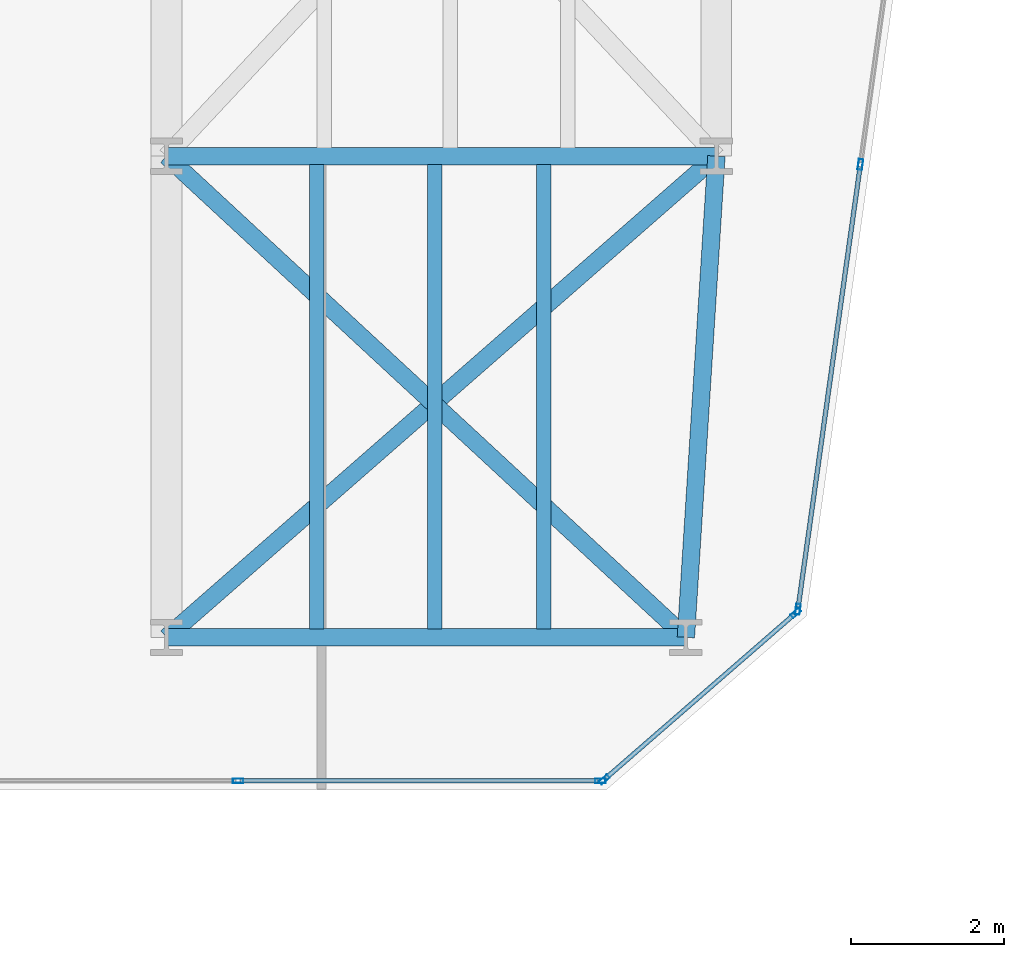
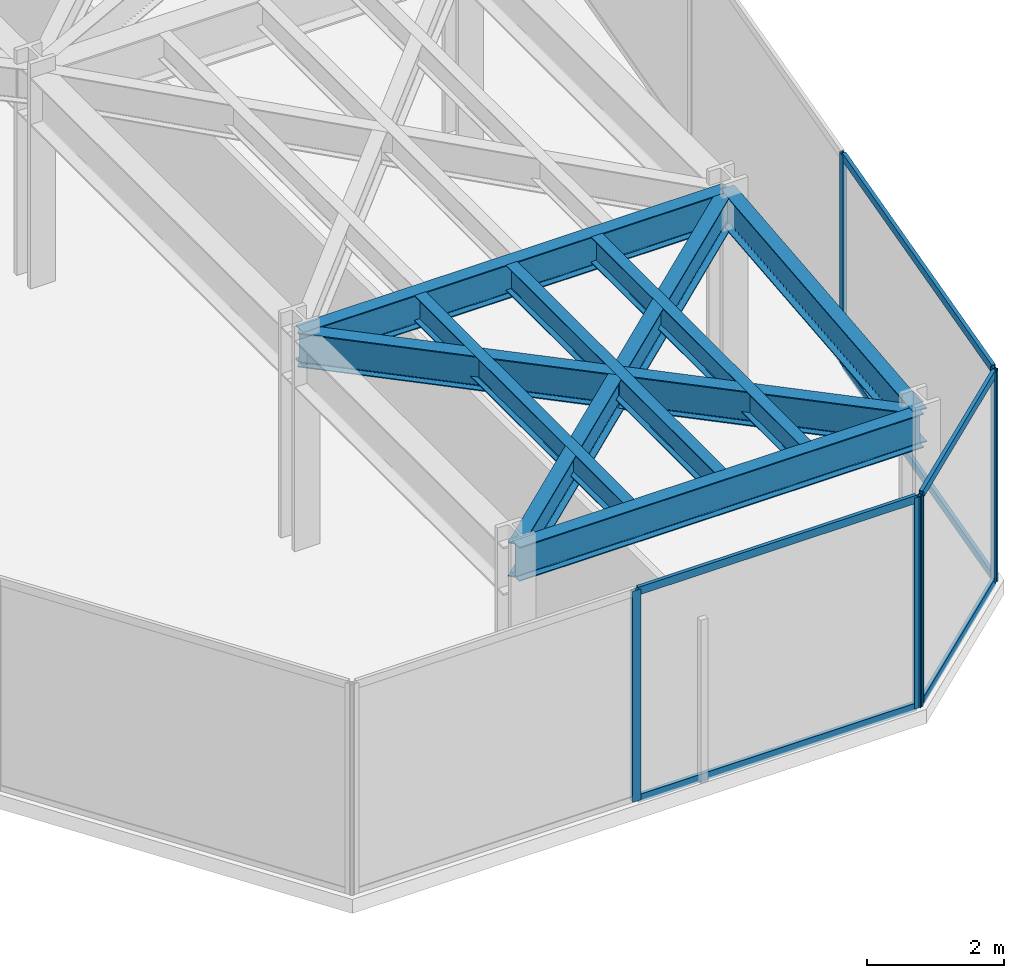
# One storey, part 11 of 24: 12 members, 8 beams, 3 elements without a shape of their own.
"""IFC4 building model written with IfcOpenShell, lengths in metres."""

import ifcopenshell
import ifcopenshell.guid

model = None  # the IFC model being written
_history = None  # IfcOwnerHistory: only IFC2X3 demands one
_inside = {}  # id of a spatial element -> (the spatial element, [elements in it])
_under = {}  # id of a project, library or spatial element -> (it, [spatial elements below it])
_declared = {}  # id of a project -> (the project, [libraries it declares])
_typed = {}  # id of a type object -> (the type object, [elements of that type])
_made_of = {}  # id of a material, layer set ... -> (it, [elements and type objects made of it])


def new_model(schema):
    """Start an empty IFC model of exactly this schema.

    Asked for "IFC4X3", IfcOpenShell would pick the latest addendum, in which some entities
    have other attributes; the version numbers below select the first issue.
    IFC2X3 requires an IfcOwnerHistory on every rooted entity: one is made here for all.
    """
    global model, _history
    if schema == "IFC4X3":
        model = ifcopenshell.file(schema_version=(4, 3, 0, 0))
    else:
        model = ifcopenshell.file(schema=schema)
    _inside.clear()
    _under.clear()
    _declared.clear()
    _typed.clear()
    _made_of.clear()
    _history = None
    if model.schema == "IFC2X3":
        org = make("IfcOrganization", Name="unknown")
        user = make(
            "IfcPersonAndOrganization",
            ThePerson=make("IfcPerson", FamilyName="unknown"),
            TheOrganization=org,
        )
        app = make(
            "IfcApplication",
            ApplicationDeveloper=org,
            Version="unknown",
            ApplicationFullName="unknown",
            ApplicationIdentifier="unknown",
        )
        _history = make(
            "IfcOwnerHistory",
            OwningUser=user,
            OwningApplication=app,
            ChangeAction="ADDED",
            CreationDate=0,
        )
    return model


def make(cls, **values):
    """One entity of the class cls with the attributes given. An attribute that is None is left unset."""
    return model.create_entity(
        cls, **{name: value for name, value in values.items() if value is not None}
    )


def rooted(cls, **values):
    """An entity with a GlobalId (a new one), such as an element, a storey or a relation."""
    return make(cls, GlobalId=ifcopenshell.guid.new(), OwnerHistory=_history, **values)


def si_unit(unit_type, name, prefix=None):
    """IfcSIUnit, for example si_unit("LENGTHUNIT", "METRE", prefix="MILLI")."""
    return make("IfcSIUnit", UnitType=unit_type, Prefix=prefix, Name=name)


def assignment(units):
    """IfcUnitAssignment: the units of a project."""
    return None if units is None else make("IfcUnitAssignment", Units=units)


def point(xyz):
    """IfcCartesianPoint."""
    return None if xyz is None else make("IfcCartesianPoint", Coordinates=xyz)


def direction(xyz):
    """IfcDirection."""
    return None if xyz is None else make("IfcDirection", DirectionRatios=xyz)


def frame(location, z_axis=None, x_axis=None):
    """IfcAxis2Placement3D, a coordinate frame: its origin and axes. An axis left out is left unset."""
    return make(
        "IfcAxis2Placement3D",
        Location=point(location),
        Axis=direction(z_axis),
        RefDirection=direction(x_axis),
    )


def frame_2d(location, x_axis=None):
    """IfcAxis2Placement2D, a coordinate frame in the plane: its origin and x axis."""
    return make(
        "IfcAxis2Placement2D", Location=point(location), RefDirection=direction(x_axis)
    )


def origin():
    """The frame at (0, 0, 0) with its axes left unset."""
    return frame((0.0, 0.0, 0.0))


def origin_2d():
    """The frame at (0, 0) in the plane with its x axis left unset."""
    return frame_2d((0.0, 0.0))


def place(relative_to, where):
    """IfcLocalPlacement: puts the frame where relative to a parent placement (None: the world)."""
    return make(
        "IfcLocalPlacement", PlacementRelTo=relative_to, RelativePlacement=where
    )


def context(
    kind, dimensions, precision=None, world=None, true_north=None, identifier=None
):
    """IfcGeometricRepresentationContext, for example the 3D "Model" context."""
    return make(
        "IfcGeometricRepresentationContext",
        ContextIdentifier=identifier,
        ContextType=kind,
        CoordinateSpaceDimension=dimensions,
        Precision=precision,
        WorldCoordinateSystem=world,
        TrueNorth=true_north,
    )


def subcontext(parent, identifier, kind, view, scale=None):
    """IfcGeometricRepresentationSubContext, for example "Body" below "Model"."""
    return make(
        "IfcGeometricRepresentationSubContext",
        ContextIdentifier=identifier,
        ContextType=kind,
        ParentContext=parent,
        TargetScale=scale,
        TargetView=view,
    )


def project(units=None, contexts=None):
    """IfcProject with its units and contexts."""
    return rooted(
        "IfcProject",
        Name="project",
        RepresentationContexts=contexts,
        UnitsInContext=assignment(units),
    )


def spatial(cls, under=None, at=None, **own):
    """A site, building, storey or space (cls), placed at a placement, below another one or the project."""
    s = rooted(cls, ObjectPlacement=at, **own)
    if under is not None:
        _under.setdefault(under.id(), (under, []))[1].append(s)
    return s


def profile(cls, at=None, kind="AREA", **sizes):
    """A parametric profile (cls). Its sizes go by their IFC names, for example OverallWidth=200.0."""
    return make(cls, ProfileType=kind, Position=at, **sizes)


def hollow_rectangle(**sizes):
    """IfcRectangleHollowProfileDef."""
    return profile("IfcRectangleHollowProfileDef", **sizes)


def i_section(**sizes):
    """IfcIShapeProfileDef."""
    return profile("IfcIShapeProfileDef", **sizes)


def extrude(swept, where, along, depth):
    """IfcExtrudedAreaSolid: the profile swept, set in the frame where, extruded along a direction by depth."""
    return make(
        "IfcExtrudedAreaSolid",
        SweptArea=swept,
        Position=where,
        ExtrudedDirection=direction(along),
        Depth=depth,
    )


def shape(context_of_items, identifier, shape_type, items):
    """IfcShapeRepresentation: the items that make up one representation, for example the "Body"."""
    return make(
        "IfcShapeRepresentation",
        ContextOfItems=context_of_items,
        RepresentationIdentifier=identifier,
        RepresentationType=shape_type,
        Items=items,
    )


def material(Name=None, Category=None):
    """IfcMaterial."""
    return make("IfcMaterial", Name=Name, Category=Category)


def layer(
    of_material, thickness, ventilated=None, Name=None, Category=None, Priority=None
):
    """IfcMaterialLayer: one layer of a wall or slab, of a material (None: an air gap)."""
    return make(
        "IfcMaterialLayer",
        Material=of_material,
        LayerThickness=thickness,
        IsVentilated=ventilated,
        Name=Name,
        Category=Category,
        Priority=Priority,
    )


def layer_set(layers, Name=None):
    """IfcMaterialLayerSet."""
    return make("IfcMaterialLayerSet", MaterialLayers=layers, LayerSetName=Name)


def material_profile(
    of_material, cross_section, Name=None, Category=None, Priority=None
):
    """IfcMaterialProfile: a cross section and its material."""
    return make(
        "IfcMaterialProfile",
        Name=Name,
        Material=of_material,
        Profile=cross_section,
        Priority=Priority,
        Category=Category,
    )


def profile_set(profiles, Name=None, composite=None):
    """IfcMaterialProfileSet."""
    return make(
        "IfcMaterialProfileSet",
        Name=Name,
        MaterialProfiles=profiles,
        CompositeProfile=composite,
    )


def made_of(thing, what):
    """Note that an element or type object is made of a material, layer set ...; save() writes the relation."""
    if what is not None:
        _made_of.setdefault(what.id(), (what, []))[1].append(thing)
    return thing


def type_object(cls, material=None, **own):
    """A type object (cls), such as IfcWallType, which elements share."""
    return made_of(rooted(cls, **own), material)


def element(
    cls,
    number,
    at=None,
    inside=None,
    cuts=None,
    type_object=None,
    material=None,
    context=None,
    identifier="Body",
    shape_type=None,
    held_by="IfcProductDefinitionShape",
    body=None,
    shapes=None,
    **own,
):
    """One element of the class cls, such as IfcWall. Its Tag is "e" and its number.

    at: its placement. inside: the storey or other place that contains it. cuts: it is an
    opening in that element (IfcRelVoidsElement). A single representation is given by context,
    identifier, shape_type and body (its items); several are given by shapes. held_by: the class
    of the entity that holds the representations. save() writes the other relations.
    """
    e = rooted(cls, Tag="e%d" % number, ObjectPlacement=at, **own)
    if body is not None:
        shapes = [shape(context, identifier, shape_type, body)]
    if shapes is not None:
        e.Representation = make(held_by, Representations=shapes)
    if inside is not None:
        _inside.setdefault(inside.id(), (inside, []))[1].append(e)
    if cuts is not None:
        rooted(
            "IfcRelVoidsElement", RelatingBuildingElement=cuts, RelatedOpeningElement=e
        )
    if type_object is not None:
        _typed.setdefault(type_object.id(), (type_object, []))[1].append(e)
    return made_of(e, material)


def aggregate(whole, parts):
    """IfcRelAggregates: a whole, such as a stair, and the parts it consists of."""
    return rooted("IfcRelAggregates", RelatingObject=whole, RelatedObjects=parts)


def save(model, path):
    """Write the relations noted so far, then the file.

    IfcRelAggregates (storeys below a building ...), IfcRelContainedInSpatialStructure (elements
    in a storey), IfcRelDefinesByType, IfcRelAssociatesMaterial and IfcRelDeclares: one each for
    every whole, place, type object, material and project.
    """
    for whole, parts in _under.values():
        aggregate(whole, parts)
    for where, things in _inside.values():
        rooted(
            "IfcRelContainedInSpatialStructure",
            RelatedElements=things,
            RelatingStructure=where,
        )
    for kind, things in _typed.values():
        rooted("IfcRelDefinesByType", RelatedObjects=things, RelatingType=kind)
    for what, things in _made_of.values():
        rooted("IfcRelAssociatesMaterial", RelatedObjects=things, RelatingMaterial=what)
    for by, libraries in _declared.values():
        rooted("IfcRelDeclares", RelatingContext=by, RelatedDefinitions=libraries)
    model.write(path)


model = new_model("IFC4")

# Units and contexts
model_context = context("Model", 3, precision=1e-05, world=origin(), true_north=direction((0.0, 1.0)))
body_context = subcontext(model_context, "Body", "Model", "MODEL_VIEW")
ifc_project = project(units=[si_unit("LENGTHUNIT", "METRE"), si_unit("AREAUNIT", "SQUARE_METRE"), si_unit("VOLUMEUNIT", "CUBIC_METRE"), si_unit("PLANEANGLEUNIT", "RADIAN"), si_unit("MASSUNIT", "GRAM", prefix="KILO")], contexts=[model_context])

# Site, building, storey
site_placement = place(None, origin())
site = spatial("IfcSite", under=ifc_project, at=site_placement, CompositionType="ELEMENT")
building_placement = place(site_placement, origin())
building = spatial("IfcBuilding", under=site, at=building_placement, Name="Kravanh Interchange Tower", CompositionType="ELEMENT")
storey_placement = place(building_placement, frame((0.0, 0.0, 96.0)))
storey = spatial("IfcBuildingStorey", under=building, at=storey_placement, Name="L22", CompositionType="ELEMENT", Elevation=96.0)

# Curtain wall, members
ifc_material_1 = material(Name="Anodised Bronze Aluminium", Category="aluminium")
ifc_layer = layer(ifc_material_1, 0.179931640625)
ifc_layer_set = layer_set([ifc_layer], Name="Unitised Curtain Wall System CW-Z2 Mid Office")
curtain_wall_type = type_object("IfcCurtainWallType", Name="Unitised Curtain Wall System CW-Z2 Mid Office", PredefinedType="NOTDEFINED", material=ifc_layer_set)
curtain_wall_1_placement = place(storey_placement, origin())
curtain_wall_1 = element("IfcCurtainWall", 1, at=curtain_wall_1_placement, inside=storey, type_object=curtain_wall_type, Name="L22 Unitised Curtain Wall CW-L22-01", PredefinedType="NOTDEFINED")
ifc_material_2 = material(Name="Anodised Bronze Aluminium", Category="aluminium")
ifc_material_profile_1 = material_profile(ifc_material_2, hollow_rectangle(XDim=0.06005859375, YDim=0.139892578125, WallThickness=0.00390625, at=origin_2d()), Name="ALU60X140X4")
ifc_profile_set_1 = profile_set([ifc_material_profile_1], Name="Anodised Bronze Aluminium")
member_type_1 = type_object("IfcMemberType", Name="Curtain Wall Mullion ALU60X140X4 Bronze", PredefinedType="MULLION", material=ifc_profile_set_1)
member_1_placement = place(storey_placement, frame((65.0849609375, 14.390869140625, 0.0), z_axis=(0.0, 0.0, 1.0), x_axis=(0.990268103846, -0.13917285118, 0.0)))
member_1 = element("IfcMember", 2, at=member_1_placement, type_object=member_type_1, Name="CW-Z2 mullion 5", PredefinedType="MULLION", context=body_context, shape_type="SweptSolid", body=[
    extrude(hollow_rectangle(XDim=0.06005859375, YDim=0.139892578125, WallThickness=0.00390625, at=origin_2d()), origin(), (0.0, 0.0, 1.0), 3.75),
])
member_2_placement = place(storey_placement, frame((64.266845703125, 8.568359375, 0.0), z_axis=(0.0, 0.0, 1.0), x_axis=(0.990268103846, -0.13917285118, 0.0)))
member_2 = element("IfcMember", 3, at=member_2_placement, type_object=member_type_1, Name="CW-Z2 mullion 6", PredefinedType="MULLION", context=body_context, shape_type="SweptSolid", body=[
    extrude(hollow_rectangle(XDim=0.06005859375, YDim=0.139892578125, WallThickness=0.00390625, at=origin_2d()), origin(), (0.0, 0.0, 1.0), 3.75),
])

curtain_wall_2_placement = place(storey_placement, origin())
curtain_wall_2 = element("IfcCurtainWall", 4, at=curtain_wall_2_placement, inside=storey, type_object=curtain_wall_type, Name="L22 Unitised Curtain Wall CW-L22-02", PredefinedType="NOTDEFINED")
member_3_placement = place(storey_placement, frame((64.239990234375, 8.51904296875, 0.0), z_axis=(0.0, 0.0, 1.0), x_axis=(0.656047665617, -0.754719458103, 0.0)))
member_3 = element("IfcMember", 5, at=member_3_placement, type_object=member_type_1, Name="CW-Z2 mullion 1", PredefinedType="MULLION", context=body_context, shape_type="SweptSolid", body=[
    extrude(hollow_rectangle(XDim=0.06005859375, YDim=0.139892578125, WallThickness=0.00390625, at=origin_2d()), origin(), (0.0, 0.0, 1.0), 3.75),
])
member_4_placement = place(storey_placement, frame((61.73291015625, 6.339599609375, 0.0), z_axis=(0.0, 0.0, 1.0), x_axis=(0.656047665617, -0.754719458103, 0.0)))
member_4 = element("IfcMember", 6, at=member_4_placement, type_object=member_type_1, Name="CW-Z2 mullion 2", PredefinedType="MULLION", context=body_context, shape_type="SweptSolid", body=[
    extrude(hollow_rectangle(XDim=0.06005859375, YDim=0.139892578125, WallThickness=0.00390625, at=origin_2d()), origin(), (0.0, 0.0, 1.0), 3.75),
])

curtain_wall_3_placement = place(storey_placement, origin())
curtain_wall_3 = element("IfcCurtainWall", 7, at=curtain_wall_3_placement, inside=storey, type_object=curtain_wall_type, Name="L22 Unitised Curtain Wall CW-L22-03", PredefinedType="NOTDEFINED")
member_5_placement = place(storey_placement, frame((61.68017578125, 6.320068359375, 0.0), z_axis=(0.0, 0.0, 1.0), x_axis=(0.0, -1.0, 0.0)))
member_5 = element("IfcMember", 8, at=member_5_placement, type_object=member_type_1, Name="CW-Z2 mullion 1", PredefinedType="MULLION", context=body_context, shape_type="SweptSolid", body=[
    extrude(hollow_rectangle(XDim=0.06005859375, YDim=0.139892578125, WallThickness=0.00390625, at=origin_2d()), origin(), (0.0, 0.0, 1.0), 3.75),
])
member_6_placement = place(storey_placement, frame((56.93798828125, 6.320068359375, 0.0), z_axis=(0.0, 0.0, 1.0), x_axis=(0.0, -1.0, 0.0)))
member_6 = element("IfcMember", 9, at=member_6_placement, type_object=member_type_1, Name="CW-Z2 mullion 2", PredefinedType="MULLION", context=body_context, shape_type="SweptSolid", body=[
    extrude(hollow_rectangle(XDim=0.06005859375, YDim=0.139892578125, WallThickness=0.00390625, at=origin_2d()), origin(), (0.0, 0.0, 1.0), 3.75),
])

# Member
ifc_material_3 = material(Name="Anodised Bronze Aluminium", Category="aluminium")
ifc_material_profile_2 = material_profile(ifc_material_3, hollow_rectangle(XDim=0.06005859375, YDim=0.139892578125, WallThickness=0.00390625, at=origin_2d()), Name="ALU60X140X4")
ifc_profile_set_2 = profile_set([ifc_material_profile_2], Name="Anodised Bronze Aluminium")
member_type_2 = type_object("IfcMemberType", Name="Curtain Wall Transom ALU60X140X4 Bronze", PredefinedType="USERDEFINED", material=ifc_profile_set_2)
member_7_placement = place(storey_placement, frame((65.080810546875, 14.361328125, 0.030029296875), z_axis=(-0.139148132783, -0.990271577469, 0.0), x_axis=(0.990271577469, -0.139148132783, 0.0)))
member_7 = element("IfcMember", 10, at=member_7_placement, type_object=member_type_2, Name="CW-Z2 transom 5.1", ObjectType="TRANSOM", PredefinedType="USERDEFINED", context=body_context, shape_type="SweptSolid", body=[
    extrude(hollow_rectangle(XDim=0.06005859375, YDim=0.139892578125, WallThickness=0.00390625, at=origin_2d()), origin(), (0.0, 0.0, 1.0), 5.81982421875),
])

member_8_placement = place(storey_placement, frame((65.080810546875, 14.361328125, 3.719970703125), z_axis=(-0.139148132783, -0.990271577469, 0.0), x_axis=(0.990271577469, -0.139148132783, 0.0)))
member_8 = element("IfcMember", 11, at=member_8_placement, type_object=member_type_2, Name="CW-Z2 transom 5.2", ObjectType="TRANSOM", PredefinedType="USERDEFINED", context=body_context, shape_type="SweptSolid", body=[
    extrude(hollow_rectangle(XDim=0.06005859375, YDim=0.139892578125, WallThickness=0.00390625, at=origin_2d()), origin(), (0.0, 0.0, 1.0), 5.81982421875),
])

aggregate(curtain_wall_1, [member_1, member_2, member_7, member_8])

member_9_placement = place(storey_placement, frame((64.21728515625, 8.499267578125, 0.030029296875), z_axis=(-0.754742467432, -0.656021194669, 0.0), x_axis=(0.656021194669, -0.754742467432, 0.0)))
member_9 = element("IfcMember", 12, at=member_9_placement, type_object=member_type_2, Name="CW-Z2 transom 1.1", ObjectType="TRANSOM", PredefinedType="USERDEFINED", context=body_context, shape_type="SweptSolid", body=[
    extrude(hollow_rectangle(XDim=0.06005859375, YDim=0.139892578125, WallThickness=0.00390625, at=origin_2d()), origin(), (0.0, 0.0, 1.0), 3.261962890625),
])

member_10_placement = place(storey_placement, frame((64.21728515625, 8.499267578125, 3.719970703125), z_axis=(-0.754742467432, -0.656021194669, 0.0), x_axis=(0.656021194669, -0.754742467432, 0.0)))
member_10 = element("IfcMember", 13, at=member_10_placement, type_object=member_type_2, Name="CW-Z2 transom 1.2", ObjectType="TRANSOM", PredefinedType="USERDEFINED", context=body_context, shape_type="SweptSolid", body=[
    extrude(hollow_rectangle(XDim=0.06005859375, YDim=0.139892578125, WallThickness=0.00390625, at=origin_2d()), origin(), (0.0, 0.0, 1.0), 3.261962890625),
])

aggregate(curtain_wall_2, [member_3, member_4, member_9, member_10])

member_11_placement = place(storey_placement, frame((61.650146484375, 6.320068359375, 0.030029296875), z_axis=(-1.0, 0.0, 0.0), x_axis=(0.0, -1.0, 0.0)))
member_11 = element("IfcMember", 14, at=member_11_placement, type_object=member_type_2, Name="CW-Z2 transom 1.1", ObjectType="TRANSOM", PredefinedType="USERDEFINED", context=body_context, shape_type="SweptSolid", body=[
    extrude(hollow_rectangle(XDim=0.06005859375, YDim=0.139892578125, WallThickness=0.00390625, at=origin_2d()), origin(), (0.0, 0.0, 1.0), 4.68212890625),
])

member_12_placement = place(storey_placement, frame((61.650146484375, 6.320068359375, 3.719970703125), z_axis=(-1.0, 0.0, 0.0), x_axis=(0.0, -1.0, 0.0)))
member_12 = element("IfcMember", 15, at=member_12_placement, type_object=member_type_2, Name="CW-Z2 transom 1.2", ObjectType="TRANSOM", PredefinedType="USERDEFINED", context=body_context, shape_type="SweptSolid", body=[
    extrude(hollow_rectangle(XDim=0.06005859375, YDim=0.139892578125, WallThickness=0.00390625, at=origin_2d()), origin(), (0.0, 0.0, 1.0), 4.68212890625),
])

aggregate(curtain_wall_3, [member_5, member_6, member_11, member_12])

# Beams
ifc_material_4 = material(Name="Structural Steel S355", Category="steel")
ifc_material_profile_3 = material_profile(ifc_material_4, i_section(OverallWidth=0.18994140625, OverallDepth=0.45703125, WebThickness=0.009033203125, FlangeThickness=0.014404296875, FilletRadius=0.01806640625, at=origin_2d()), Name="W18X50")
ifc_profile_set_3 = profile_set([ifc_material_profile_3], Name="Structural Steel S355")
beam_type_1 = type_object("IfcBeamType", Name="Floor Joist W18X50 Structural Steel S355", PredefinedType="JOIST", material=ifc_profile_set_3)
for number, where, z_axis, x_axis, name in (
    (16, (57.969970703125, 8.30908203125, 3.521484375), (0.0, 1.0, 0.0), (-1.0, 0.0, 0.0), "L22 Secondary Floor Joist 4"),
    (17, (59.510009765625, 8.30908203125, 3.521484375), (0.0, 1.0, 0.0), (-1.0, 0.0, 0.0), "L22 Secondary Floor Joist 5"),
    (18, (60.93994140625, 8.30908203125, 3.521484375), (0.0, 1.0, 0.0), (-1.0, 0.0, 0.0), "L22 Secondary Floor Joist 6"),
):
    element("IfcBeam", number, at=place(storey_placement, frame(where, z_axis=z_axis, x_axis=x_axis)), inside=storey, type_object=beam_type_1, Name=name, PredefinedType="JOIST", context=body_context, shape_type="SweptSolid", body=[
        extrude(i_section(OverallWidth=0.18994140625, OverallDepth=0.45703125, WebThickness=0.009033203125, FlangeThickness=0.014404296875, FilletRadius=0.01806640625, at=origin_2d()), origin(), (0.0, 0.0, 1.0), 6.08203125),
    ])
ifc_material_5 = material(Name="Structural Steel S355", Category="steel")
ifc_material_profile_4 = material_profile(ifc_material_5, i_section(OverallWidth=0.22802734375, OverallDepth=0.60791015625, WebThickness=0.01123046875, FlangeThickness=0.017333984375, FilletRadius=0.02197265625, at=origin_2d()), Name="W24X76")
ifc_profile_set_4 = profile_set([ifc_material_profile_4], Name="Structural Steel S355")
beam_type_2 = type_object("IfcBeamType", Name="Floor Spandrel W24X76 Structural Steel S355", PredefinedType="SPANDREL", material=ifc_profile_set_4)
beam_1_placement = place(storey_placement, frame((56.0, 8.199951171875, 3.446044921875), z_axis=(1.0, 0.0, 0.0), x_axis=(0.0, 1.0, 0.0)))
element("IfcBeam", 19, at=beam_1_placement, inside=storey, type_object=beam_type_2, Name="L22 Perimeter Spandrel 96", PredefinedType="SPANDREL", context=body_context, shape_type="SweptSolid", body=[
    extrude(i_section(OverallWidth=0.22802734375, OverallDepth=0.60791015625, WebThickness=0.01123046875, FlangeThickness=0.017333984375, FilletRadius=0.02197265625, at=origin_2d()), origin(), (0.0, 0.0, 1.0), 6.800048828125),
])
beam_2_placement = place(storey_placement, frame((56.0, 8.199951171875, 3.446044921875), z_axis=(0.752571952274, 0.658510027752, 0.0), x_axis=(-0.658510027752, 0.752571952274, 0.0)))
element("IfcBeam", 20, at=beam_2_placement, inside=storey, type_object=beam_type_2, Name="L22 Perimeter Spandrel 97", PredefinedType="SPANDREL", context=body_context, shape_type="SweptSolid", body=[
    extrude(i_section(OverallWidth=0.22802734375, OverallDepth=0.60791015625, WebThickness=0.01123046875, FlangeThickness=0.017333984375, FilletRadius=0.02197265625, at=origin_2d()), origin(), (0.0, 0.0, 1.0), 9.567138671875),
])
beam_3_placement = place(storey_placement, frame((62.800048828125, 8.199951171875, 3.446044921875), z_axis=(0.063348576418, 0.99799146182, 0.0), x_axis=(-0.99799146182, 0.063348576418, 0.0)))
element("IfcBeam", 21, at=beam_3_placement, inside=storey, type_object=beam_type_2, Name="L22 Perimeter Spandrel 98", PredefinedType="SPANDREL", context=body_context, shape_type="SweptSolid", body=[
    extrude(i_section(OverallWidth=0.22802734375, OverallDepth=0.60791015625, WebThickness=0.01123046875, FlangeThickness=0.017333984375, FilletRadius=0.02197265625, at=origin_2d()), origin(), (0.0, 0.0, 1.0), 6.312744140625),
])
beam_4_placement = place(storey_placement, frame((62.800048828125, 8.199951171875, 3.446044921875), z_axis=(-0.733561267923, 0.679623326706, 0.0), x_axis=(-0.679623326706, -0.733561267923, 0.0)))
element("IfcBeam", 22, at=beam_4_placement, inside=storey, type_object=beam_type_2, Name="L22 Perimeter Spandrel 99", PredefinedType="SPANDREL", context=body_context, shape_type="SweptSolid", body=[
    extrude(i_section(OverallWidth=0.22802734375, OverallDepth=0.60791015625, WebThickness=0.01123046875, FlangeThickness=0.017333984375, FilletRadius=0.02197265625, at=origin_2d()), origin(), (0.0, 0.0, 1.0), 9.27001953125),
])
beam_5_placement = place(storey_placement, frame((56.0, 14.5, 3.446044921875), z_axis=(1.0, 0.0, 0.0), x_axis=(0.0, 1.0, 0.0)))
element("IfcBeam", 23, at=beam_5_placement, inside=storey, type_object=beam_type_2, Name="L22 Perimeter Spandrel 103", PredefinedType="SPANDREL", context=body_context, shape_type="SweptSolid", body=[
    extrude(i_section(OverallWidth=0.22802734375, OverallDepth=0.60791015625, WebThickness=0.01123046875, FlangeThickness=0.017333984375, FilletRadius=0.02197265625, at=origin_2d()), origin(), (0.0, 0.0, 1.0), 7.199951171875),
])

save(model, "model.ifc")
